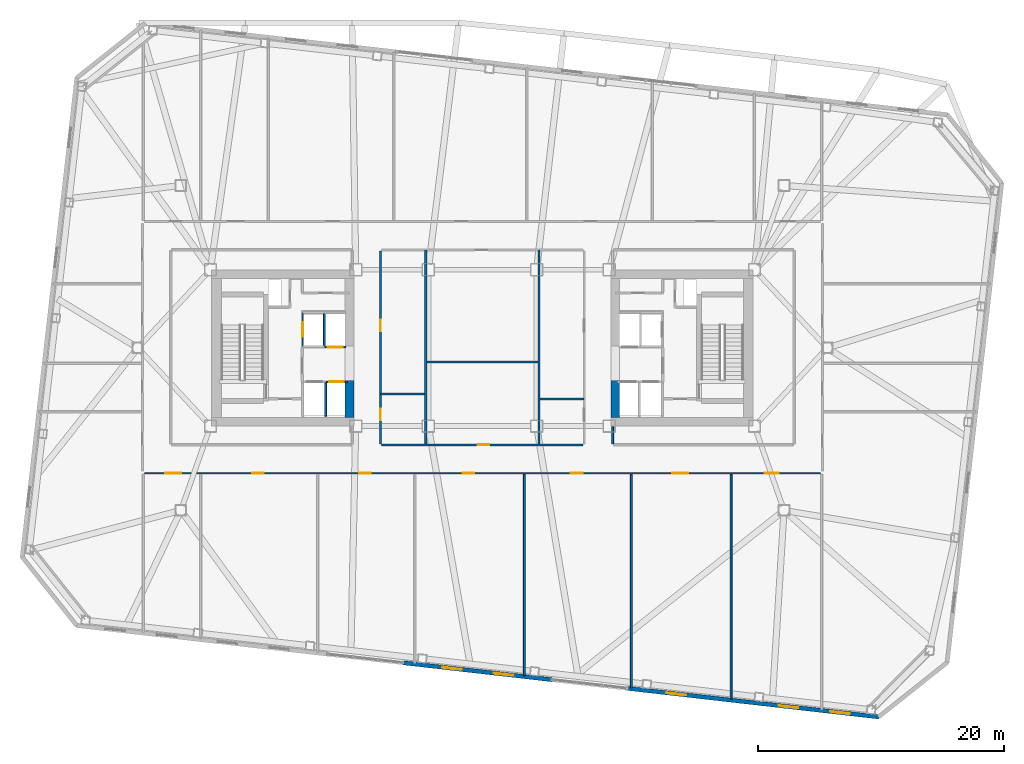
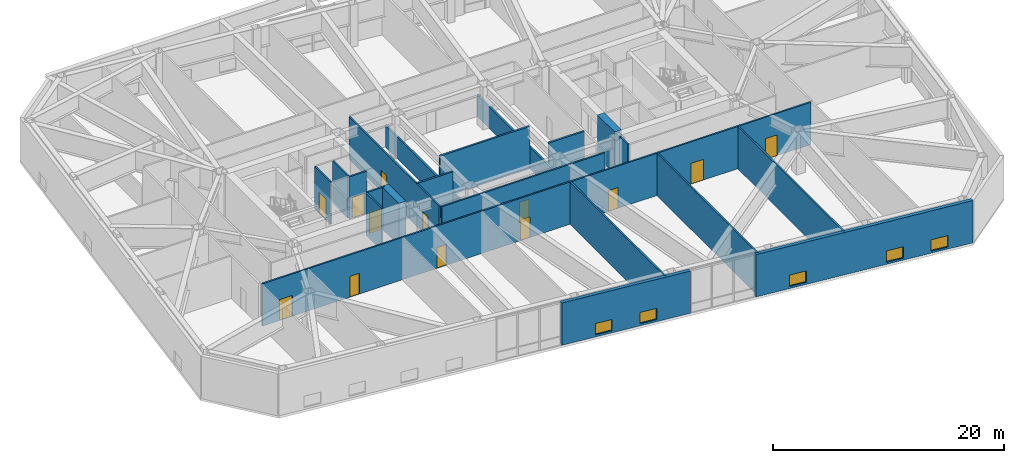
# One storey, part 11 of 19: 21 walls, 13 doors, 5 windows, 18 openings.
"""IFC4 building model written with IfcOpenShell, lengths in metres."""

from ifc_helpers import new_model, si_unit, direction, frame, frame_2d, origin, place, context, subcontext, project, spatial, rectangle, extrude, material, layer, layer_set, type_object, element, fill, save


model = new_model("IFC4")

# Units and contexts
model_context = context("Model", 3, precision=1e-05, world=origin(), true_north=direction((0.0, 1.0)))
body_context = subcontext(model_context, "Body", "Model", "MODEL_VIEW")
ifc_project = project(units=[si_unit("LENGTHUNIT", "METRE"), si_unit("AREAUNIT", "SQUARE_METRE"), si_unit("VOLUMEUNIT", "CUBIC_METRE"), si_unit("PLANEANGLEUNIT", "RADIAN"), si_unit("MASSUNIT", "GRAM", prefix="KILO")], contexts=[model_context])

# Site, building, storey
site_placement = place(None, origin())
site = spatial("IfcSite", under=ifc_project, at=site_placement, CompositionType="ELEMENT")
building_placement = place(site_placement, origin())
building = spatial("IfcBuilding", under=site, at=building_placement, Name="Tavrogorsk Clinical Tower", CompositionType="ELEMENT")
storey_placement = place(building_placement, frame((0.0, 0.0, 141.39990234375)))
storey = spatial("IfcBuildingStorey", under=building, at=storey_placement, Name="L32", CompositionType="ELEMENT", Elevation=141.39990234375)

# Wall, openings, doors
ifc_material_1 = material(Name="Lightweight concrete blockwork B15", Category="masonry")
ifc_layer_1 = layer(ifc_material_1, 0.159912109375)
ifc_layer_set_1 = layer_set([ifc_layer_1], Name="Lightweight concrete blockwork B15")
wall_type_1 = type_object("IfcWallType", Name="PartitionWall_160", PredefinedType="PARTITIONING", material=ifc_layer_set_1)
wall_1_placement = place(storey_placement, frame((27.465087890625, -10.179931640625, 0.0), z_axis=(0.0, 0.0, 1.0), x_axis=(-1.0, 0.0, 0.0)))
wall_1 = element("IfcWall", 1, at=wall_1_placement, inside=storey, type_object=wall_type_1, Name="L32 Corridor Partition 04", PredefinedType="PARTITIONING", context=body_context, shape_type="SweptSolid", body=[
    extrude(rectangle(XDim=54.93017578125, YDim=0.159912109375, at=frame_2d((27.465087890625, 0.0))), origin(), (0.0, 0.0, 1.0), 4.47998046875),
])
opening_1_placement = place(wall_1_placement, frame((51.930908203125, 0.0, 0.0)))
opening_1 = element("IfcOpeningElement", 2, at=opening_1_placement, cuts=wall_1, Name="Opening ID-01", PredefinedType="OPENING", context=body_context, shape_type="SweptSolid", body=[
    extrude(rectangle(XDim=1.300048828125, YDim=2.199951171875, at=frame_2d((0.64990234375, 1.10009765625))), frame((0.0, 0.08984375, 0.0), z_axis=(0.0, -1.0, 0.0), x_axis=(1.0, 0.0, 0.0)), (0.0, 0.0, 1.0), 0.179931640625),
])
opening_2_placement = place(wall_1_placement, frame((45.22509765625, 0.0, 0.0)))
opening_2 = element("IfcOpeningElement", 3, at=opening_2_placement, cuts=wall_1, Name="Opening ID-02", PredefinedType="OPENING", context=body_context, shape_type="SweptSolid", body=[
    extrude(rectangle(XDim=0.949951171875, YDim=2.199951171875, at=frame_2d((0.47509765625, 1.10009765625))), frame((0.0, 0.08984375, 0.0), z_axis=(0.0, -1.0, 0.0), x_axis=(1.0, 0.0, 0.0)), (0.0, 0.0, 1.0), 0.179931640625),
])
opening_3_placement = place(wall_1_placement, frame((36.52490234375, 0.0, 0.0)))
opening_3 = element("IfcOpeningElement", 4, at=opening_3_placement, cuts=wall_1, Name="Opening ID-02", PredefinedType="OPENING", context=body_context, shape_type="SweptSolid", body=[
    extrude(rectangle(XDim=0.949951171875, YDim=2.199951171875, at=frame_2d((0.47509765625, 1.10009765625))), frame((0.0, 0.08984375, 0.0), z_axis=(0.0, -1.0, 0.0), x_axis=(1.0, 0.0, 0.0)), (0.0, 0.0, 1.0), 0.179931640625),
])
opening_4_placement = place(wall_1_placement, frame((28.125, 0.0, 0.0)))
opening_4 = element("IfcOpeningElement", 5, at=opening_4_placement, cuts=wall_1, Name="Opening ID-02", PredefinedType="OPENING", context=body_context, shape_type="SweptSolid", body=[
    extrude(rectangle(XDim=0.949951171875, YDim=2.199951171875, at=frame_2d((0.47509765625, 1.10009765625))), frame((0.0, 0.08984375, 0.0), z_axis=(0.0, -1.0, 0.0), x_axis=(1.0, 0.0, 0.0)), (0.0, 0.0, 1.0), 0.179931640625),
])
opening_5_placement = place(wall_1_placement, frame((19.324951171875, 0.0, 0.0)))
opening_5 = element("IfcOpeningElement", 6, at=opening_5_placement, cuts=wall_1, Name="Opening ID-02", PredefinedType="OPENING", context=body_context, shape_type="SweptSolid", body=[
    extrude(rectangle(XDim=0.949951171875, YDim=2.199951171875, at=frame_2d((0.47509765625, 1.10009765625))), frame((0.0, 0.08984375, 0.0), z_axis=(0.0, -1.0, 0.0), x_axis=(1.0, 0.0, 0.0)), (0.0, 0.0, 1.0), 0.179931640625),
])
opening_6_placement = place(wall_1_placement, frame((10.75, 0.0, 0.0)))
opening_6 = element("IfcOpeningElement", 7, at=opening_6_placement, cuts=wall_1, Name="Opening ID-01", PredefinedType="OPENING", context=body_context, shape_type="SweptSolid", body=[
    extrude(rectangle(XDim=1.300048828125, YDim=2.199951171875, at=frame_2d((0.64990234375, 1.10009765625))), frame((0.0, 0.08984375, 0.0), z_axis=(0.0, -1.0, 0.0), x_axis=(1.0, 0.0, 0.0)), (0.0, 0.0, 1.0), 0.179931640625),
])
opening_7_placement = place(wall_1_placement, frame((3.39404296875, 0.0, 0.0)))
opening_7 = element("IfcOpeningElement", 8, at=opening_7_placement, cuts=wall_1, Name="Opening ID-06", PredefinedType="OPENING", context=body_context, shape_type="SweptSolid", body=[
    extrude(rectangle(XDim=1.14990234375, YDim=2.199951171875, at=frame_2d((0.574951171875, 1.10009765625))), frame((0.0, 0.08984375, 0.0), z_axis=(0.0, -1.0, 0.0), x_axis=(1.0, 0.0, 0.0)), (0.0, 0.0, 1.0), 0.179931640625),
])
ifc_material_2 = material(Name="Laminated timber leaf on aluminium frame", Category="wood")
door_type_1 = type_object("IfcDoorType", Name="InteriorDoor_ID02_950", OperationType="NOTDEFINED", PredefinedType="DOOR", material=ifc_material_2)
door_1_placement = place(opening_2_placement, origin())
door_1 = element("IfcDoor", 9, at=door_1_placement, inside=storey, type_object=door_type_1, Name="L32 South Soiled Utility & Sluice Room 02 Door", OperationType="SINGLE_SWING_LEFT", OverallHeight=2.199951171875, OverallWidth=0.949951171875, PredefinedType="DOOR", context=body_context, shape_type="SweptSolid", body=[
    extrude(rectangle(XDim=0.949951171875, YDim=2.199951171875, at=frame_2d((0.47509765625, 1.10009765625))), frame((0.0, 0.02490234375, 0.0), z_axis=(0.0, -1.0, 0.0), x_axis=(1.0, 0.0, 0.0)), (0.0, 0.0, 1.0), 0.050048828125),
])
fill(opening_2, door_1)
door_2_placement = place(opening_3_placement, origin())
door_2 = element("IfcDoor", 10, at=door_2_placement, inside=storey, type_object=door_type_1, Name="L32 Sky-Lobby Cafe & Pharmacy Lounge 3 Door", OperationType="SINGLE_SWING_RIGHT", OverallHeight=2.199951171875, OverallWidth=0.949951171875, PredefinedType="DOOR", context=body_context, shape_type="SweptSolid", body=[
    extrude(rectangle(XDim=0.949951171875, YDim=2.199951171875, at=frame_2d((0.47509765625, 1.10009765625))), frame((0.0, 0.02490234375, 0.0), z_axis=(0.0, -1.0, 0.0), x_axis=(1.0, 0.0, 0.0)), (0.0, 0.0, 1.0), 0.050048828125),
])
fill(opening_3, door_2)
door_3_placement = place(opening_4_placement, origin())
door_3 = element("IfcDoor", 11, at=door_3_placement, inside=storey, type_object=door_type_1, Name="L32 Sky-Lobby Cafe & Pharmacy Lounge 4 Door", OperationType="SINGLE_SWING_LEFT", OverallHeight=2.199951171875, OverallWidth=0.949951171875, PredefinedType="DOOR", context=body_context, shape_type="SweptSolid", body=[
    extrude(rectangle(XDim=0.949951171875, YDim=2.199951171875, at=frame_2d((0.47509765625, 1.10009765625))), frame((0.0, 0.02490234375, 0.0), z_axis=(0.0, -1.0, 0.0), x_axis=(1.0, 0.0, 0.0)), (0.0, 0.0, 1.0), 0.050048828125),
])
fill(opening_4, door_3)
door_4_placement = place(opening_5_placement, origin())
door_4 = element("IfcDoor", 12, at=door_4_placement, inside=storey, type_object=door_type_1, Name="L32 Sky-Lobby Cafe & Pharmacy Lounge 5 Door", OperationType="SINGLE_SWING_RIGHT", OverallHeight=2.199951171875, OverallWidth=0.949951171875, PredefinedType="DOOR", context=body_context, shape_type="SweptSolid", body=[
    extrude(rectangle(XDim=0.949951171875, YDim=2.199951171875, at=frame_2d((0.47509765625, 1.10009765625))), frame((0.0, 0.02490234375, 0.0), z_axis=(0.0, -1.0, 0.0), x_axis=(1.0, 0.0, 0.0)), (0.0, 0.0, 1.0), 0.050048828125),
])
fill(opening_5, door_4)
ifc_material_3 = material(Name="Antibacterial HPL procedure door on aluminium frame", Category="aluminium")
door_type_2 = type_object("IfcDoorType", Name="LabDoor_ID06_1150", OperationType="NOTDEFINED", PredefinedType="DOOR", material=ifc_material_3)
door_5_placement = place(opening_7_placement, origin())
door_5 = element("IfcDoor", 13, at=door_5_placement, inside=storey, type_object=door_type_2, Name="L32 South Soiled Utility & Sluice Room 07 Door", OperationType="SINGLE_SWING_RIGHT", OverallHeight=2.199951171875, OverallWidth=1.14990234375, PredefinedType="DOOR", context=body_context, shape_type="SweptSolid", body=[
    extrude(rectangle(XDim=1.14990234375, YDim=2.199951171875, at=frame_2d((0.574951171875, 1.10009765625))), frame((0.0, 0.02490234375, 0.0), z_axis=(0.0, -1.0, 0.0), x_axis=(1.0, 0.0, 0.0)), (0.0, 0.0, 1.0), 0.050048828125),
])
fill(opening_7, door_5)
ifc_material_4 = material(Name="Antibacterial HPL medical leaf on aluminium frame", Category="aluminium")
door_type_3 = type_object("IfcDoorType", Name="WardBedDoor_ID01_1300", OperationType="NOTDEFINED", PredefinedType="DOOR", material=ifc_material_4)
door_6_placement = place(opening_1_placement, origin())
door_6 = element("IfcDoor", 14, at=door_6_placement, inside=storey, type_object=door_type_3, Name="L32 South Surgical Step-Down Ward 01 Door", OperationType="SINGLE_SWING_RIGHT", OverallHeight=2.199951171875, OverallWidth=1.300048828125, PredefinedType="DOOR", context=body_context, shape_type="SweptSolid", body=[
    extrude(rectangle(XDim=1.300048828125, YDim=2.199951171875, at=frame_2d((0.64990234375, 1.10009765625))), frame((0.0, 0.02490234375, 0.0), z_axis=(0.0, -1.0, 0.0), x_axis=(1.0, 0.0, 0.0)), (0.0, 0.0, 1.0), 0.050048828125),
])
fill(opening_1, door_6)
door_7_placement = place(opening_6_placement, origin())
door_7 = element("IfcDoor", 15, at=door_7_placement, inside=storey, type_object=door_type_3, Name="L32 South Surgical Step-Down Ward 06 Door", OperationType="SINGLE_SWING_LEFT", OverallHeight=2.199951171875, OverallWidth=1.300048828125, PredefinedType="DOOR", context=body_context, shape_type="SweptSolid", body=[
    extrude(rectangle(XDim=1.300048828125, YDim=2.199951171875, at=frame_2d((0.64990234375, 1.10009765625))), frame((0.0, 0.02490234375, 0.0), z_axis=(0.0, -1.0, 0.0), x_axis=(1.0, 0.0, 0.0)), (0.0, 0.0, 1.0), 0.050048828125),
])
fill(opening_6, door_7)

# Wall
wall_2_placement = place(storey_placement, frame((10.580078125, -6.419921875, 0.0), z_axis=(0.0, 0.0, 1.0), x_axis=(0.0, -1.0, 0.0)))
element("IfcWall", 16, at=wall_2_placement, inside=storey, type_object=wall_type_1, Name="L32 Corridor Partition 07", PredefinedType="PARTITIONING", context=body_context, shape_type="SweptSolid", body=[
    extrude(rectangle(XDim=1.364990234375, YDim=0.159912109375, at=frame_2d((0.6826171875, 0.0))), origin(), (0.0, 0.0, 1.0), 4.47998046875),
])

# Wall, openings, doors
wall_3_placement = place(storey_placement, frame((-8.27001953125, 7.885009765625, 0.0), z_axis=(0.0, 0.0, 1.0), x_axis=(0.0, -1.0, 0.0)))
wall_3 = element("IfcWall", 17, at=wall_3_placement, inside=storey, type_object=wall_type_1, Name="L32 Corridor Partition 12", PredefinedType="PARTITIONING", context=body_context, shape_type="SweptSolid", body=[
    extrude(rectangle(XDim=15.669921875, YDim=0.159912109375, at=frame_2d((7.8349609375, 0.0))), origin(), (0.0, 0.0, 1.0), 4.47998046875),
])
opening_8_placement = place(wall_3_placement, frame((12.810791015625, 0.0, 0.0)))
opening_8 = element("IfcOpeningElement", 18, at=opening_8_placement, cuts=wall_3, Name="Opening ID-02", PredefinedType="OPENING", context=body_context, shape_type="SweptSolid", body=[
    extrude(rectangle(XDim=0.949951171875, YDim=2.199951171875, at=frame_2d((0.47509765625, 1.10009765625))), frame((0.0, 0.08984375, 0.0), z_axis=(0.0, -1.0, 0.0), x_axis=(1.0, 0.0, 0.0)), (0.0, 0.0, 1.0), 0.179931640625),
])
opening_9_placement = place(wall_3_placement, frame((5.5791015625, 0.0, 0.0)))
opening_9 = element("IfcOpeningElement", 19, at=opening_9_placement, cuts=wall_3, Name="Opening ID-02", PredefinedType="OPENING", context=body_context, shape_type="SweptSolid", body=[
    extrude(rectangle(XDim=0.949951171875, YDim=2.199951171875, at=frame_2d((0.47509765625, 1.10009765625))), frame((0.0, 0.08984375, 0.0), z_axis=(0.0, -1.0, 0.0), x_axis=(1.0, 0.0, 0.0)), (0.0, 0.0, 1.0), 0.179931640625),
])
door_8_placement = place(opening_8_placement, origin())
door_8 = element("IfcDoor", 20, at=door_8_placement, inside=storey, type_object=door_type_1, Name="L32 Accessible Patient Lavatory Door", OperationType="SINGLE_SWING_LEFT", OverallHeight=2.199951171875, OverallWidth=0.949951171875, PredefinedType="DOOR", context=body_context, shape_type="SweptSolid", body=[
    extrude(rectangle(XDim=0.949951171875, YDim=2.199951171875, at=frame_2d((0.47509765625, 1.10009765625))), frame((0.0, 0.02490234375, 0.0), z_axis=(0.0, -1.0, 0.0), x_axis=(1.0, 0.0, 0.0)), (0.0, 0.0, 1.0), 0.050048828125),
])
fill(opening_8, door_8)
door_9_placement = place(opening_9_placement, origin())
door_9 = element("IfcDoor", 21, at=door_9_placement, inside=storey, type_object=door_type_1, Name="L32 Ward Nourishment Pantry Door", OperationType="SINGLE_SWING_RIGHT", OverallHeight=2.199951171875, OverallWidth=0.949951171875, PredefinedType="DOOR", context=body_context, shape_type="SweptSolid", body=[
    extrude(rectangle(XDim=0.949951171875, YDim=2.199951171875, at=frame_2d((0.47509765625, 1.10009765625))), frame((0.0, 0.02490234375, 0.0), z_axis=(0.0, -1.0, 0.0), x_axis=(1.0, 0.0, 0.0)), (0.0, 0.0, 1.0), 0.050048828125),
])
fill(opening_9, door_9)

# Wall, opening, door
wall_4_placement = place(storey_placement, frame((-8.18505859375, -7.8701171875, 0.0), z_axis=(0.0, 0.0, 1.0), x_axis=(1.0, 0.0, 0.0)))
wall_4 = element("IfcWall", 22, at=wall_4_placement, inside=storey, type_object=wall_type_1, Name="L32 Corridor Partition 13", PredefinedType="PARTITIONING", context=body_context, shape_type="SweptSolid", body=[
    extrude(rectangle(XDim=16.3701171875, YDim=0.159912109375, at=frame_2d((8.18505859375, 0.0))), origin(), (0.0, 0.0, 1.0), 4.47998046875),
])
opening_10_placement = place(wall_4_placement, frame((7.794921875, 0.0, 0.0)))
opening_10 = element("IfcOpeningElement", 23, at=opening_10_placement, cuts=wall_4, Name="Opening ID-02", PredefinedType="OPENING", context=body_context, shape_type="SweptSolid", body=[
    extrude(rectangle(XDim=0.949951171875, YDim=2.199951171875, at=frame_2d((0.47509765625, 1.10009765625))), frame((0.0, 0.08984375, 0.0), z_axis=(0.0, -1.0, 0.0), x_axis=(1.0, 0.0, 0.0)), (0.0, 0.0, 1.0), 0.179931640625),
])
door_10_placement = place(opening_10_placement, origin())
door_10 = element("IfcDoor", 24, at=door_10_placement, inside=storey, type_object=door_type_1, Name="L32 Multidisciplinary Conference Room Door", OperationType="SINGLE_SWING_LEFT", OverallHeight=2.199951171875, OverallWidth=0.949951171875, PredefinedType="DOOR", context=body_context, shape_type="SweptSolid", body=[
    extrude(rectangle(XDim=0.949951171875, YDim=2.199951171875, at=frame_2d((0.47509765625, 1.10009765625))), frame((0.0, 0.02490234375, 0.0), z_axis=(0.0, -1.0, 0.0), x_axis=(1.0, 0.0, 0.0)), (0.0, 0.0, 1.0), 0.050048828125),
])
fill(opening_10, door_10)

# Walls
wall_5_placement = place(storey_placement, frame((3.39990234375, -26.6328125, 0.0), z_axis=(0.0, 0.0, 1.0), x_axis=(0.0, 1.0, 0.0)))
element("IfcWall", 25, at=wall_5_placement, inside=storey, type_object=wall_type_1, Name="L32 South Room Partition 4", PredefinedType="PARTITIONING", context=body_context, shape_type="SweptSolid", body=[
    extrude(rectangle(XDim=16.367919921875, YDim=0.159912109375, at=frame_2d((8.18408203125, 0.0))), origin(), (0.0, 0.0, 1.0), 4.47998046875),
])
wall_6_placement = place(storey_placement, frame((12.10009765625, -27.6240234375, 0.0), z_axis=(0.0, 0.0, 1.0), x_axis=(0.0, 1.0, 0.0)))
element("IfcWall", 26, at=wall_6_placement, inside=storey, type_object=wall_type_1, Name="L32 South Room Partition 5", PredefinedType="PARTITIONING", context=body_context, shape_type="SweptSolid", body=[
    extrude(rectangle(XDim=17.359130859375, YDim=0.159912109375, at=frame_2d((8.6796875, 0.0))), origin(), (0.0, 0.0, 1.0), 4.47998046875),
])
wall_7_placement = place(storey_placement, frame((20.199951171875, -28.547119140625, 0.0), z_axis=(0.0, 0.0, 1.0), x_axis=(0.0, 1.0, 0.0)))
element("IfcWall", 27, at=wall_7_placement, inside=storey, type_object=wall_type_1, Name="L32 South Room Partition 6", PredefinedType="PARTITIONING", context=body_context, shape_type="SweptSolid", body=[
    extrude(rectangle(XDim=18.2822265625, YDim=0.159912109375, at=frame_2d((9.14111328125, 0.0))), origin(), (0.0, 0.0, 1.0), 4.47998046875),
])
ifc_material_5 = material(Name="Lightweight concrete blockwork B20", Category="masonry")
ifc_layer_2 = layer(ifc_material_5, 0.179931640625)
ifc_layer_set_2 = layer_set([ifc_layer_2], Name="Lightweight concrete blockwork B20")
wall_type_2 = type_object("IfcWallType", Name="PartitionWall_180", PredefinedType="PARTITIONING", material=ifc_layer_set_2)
for number, where, z_axis, x_axis, name in (
    (28, (-4.60009765625, -7.864990234375, 0.0), (0.0, 0.0, 1.0), (0.0, 1.0, 0.0), "L32 Central Spine Partition 1"),
    (29, (4.60009765625, -7.864990234375, 0.0), (0.0, 0.0, 1.0), (0.0, 1.0, 0.0), "L32 Central Spine Partition 2"),
):
    element("IfcWall", number, at=place(storey_placement, frame(where, z_axis=z_axis, x_axis=x_axis)), inside=storey, type_object=wall_type_2, Name=name, PredefinedType="PARTITIONING", context=body_context, shape_type="SweptSolid", body=[
        extrude(rectangle(XDim=15.830078125, YDim=0.179931640625, at=frame_2d((7.9150390625, 0.0))), origin(), (0.0, 0.0, 1.0), 2.275146484375),
    ])
wall_8_placement = place(storey_placement, frame((-4.5048828125, -1.14990234375, 0.0), z_axis=(0.0, 0.0, 1.0), x_axis=(1.0, 0.0, 0.0)))
element("IfcWall", 30, at=wall_8_placement, inside=storey, type_object=wall_type_2, Name="L32 Central Spine Partition 3", PredefinedType="PARTITIONING", context=body_context, shape_type="SweptSolid", body=[
    extrude(rectangle(XDim=9.009765625, YDim=0.179931640625, at=frame_2d((4.5048828125, 0.0))), origin(), (0.0, 0.0, 1.0), 4.47998046875),
])
for number, where, z_axis, x_axis, name in (
    (31, (-8.264892578125, -3.75, 0.0), (0.0, 0.0, 1.0), (1.0, 0.0, 0.0), "L32 Central Spine Partition 4"),
    (32, (4.695068359375, -4.14990234375, 0.0), (0.0, 0.0, 1.0), (1.0, 0.0, 0.0), "L32 Central Spine Partition 5"),
):
    element("IfcWall", number, at=place(storey_placement, frame(where, z_axis=z_axis, x_axis=x_axis)), inside=storey, type_object=wall_type_2, Name=name, PredefinedType="PARTITIONING", context=body_context, shape_type="SweptSolid", body=[
        extrude(rectangle(XDim=3.56982421875, YDim=0.179931640625, at=frame_2d((1.784912109375, 0.0))), origin(), (0.0, 0.0, 1.0), 4.47998046875),
    ])

# Wall, openings, windows
ifc_material_6 = material(Name="Precast concrete B45 with limestone cladding", Category="masonry")
ifc_layer_3 = layer(ifc_material_6, 0.340087890625)
ifc_layer_set_3 = layer_set([ifc_layer_3], Name="Precast concrete B45 with limestone cladding")
wall_type_3 = type_object("IfcWallType", Name="PrecastLimestoneWall_340", PredefinedType="STANDARD", material=ifc_layer_set_3)
wall_9_placement = place(storey_placement, frame((-6.42626953125, -25.583740234375, 0.0), z_axis=(0.0, 0.0, 1.0), x_axis=(0.993571202571, -0.113208945853, 0.0)))
wall_9 = element("IfcWall", 33, at=wall_9_placement, inside=storey, type_object=wall_type_3, Name="L32 S Limestone Facade Wall 2", PredefinedType="STANDARD", context=body_context, shape_type="SweptSolid", body=[
    extrude(rectangle(XDim=12.154296875, YDim=0.340087890625, at=frame_2d((6.0771484375, 0.0))), origin(), (0.0, 0.0, 1.0), 4.47998046875),
])
opening_11_placement = place(wall_9_placement, frame((3.16650390625, 0.0, 0.219970703125)))
opening_11 = element("IfcOpeningElement", 34, at=opening_11_placement, cuts=wall_9, Name="Opening WN-09", PredefinedType="OPENING", context=body_context, shape_type="SweptSolid", body=[
    extrude(rectangle(XDim=1.60009765625, YDim=1.199951171875, at=frame_2d((0.800048828125, 0.60009765625))), frame((0.0, 0.179931640625, 0.0), z_axis=(0.0, -1.0, 0.0), x_axis=(1.0, 0.0, 0.0)), (0.0, 0.0, 1.0), 0.360107421875),
])
opening_12_placement = place(wall_9_placement, frame((7.387939453125, 0.0, 0.219970703125)))
opening_12 = element("IfcOpeningElement", 35, at=opening_12_placement, cuts=wall_9, Name="Opening WN-09", PredefinedType="OPENING", context=body_context, shape_type="SweptSolid", body=[
    extrude(rectangle(XDim=1.60009765625, YDim=1.199951171875, at=frame_2d((0.800048828125, 0.60009765625))), frame((0.0, 0.179931640625, 0.0), z_axis=(0.0, -1.0, 0.0), x_axis=(1.0, 0.0, 0.0)), (0.0, 0.0, 1.0), 0.360107421875),
])
ifc_material_7 = material(Name="Thermally broken aluminium frame and triple IGU", Category="aluminium")
window_type = type_object("IfcWindowType", Name="LowHeadTransWin_1600x1200", PartitioningType="DOUBLE_PANEL_VERTICAL", PredefinedType="WINDOW", material=ifc_material_7)
window_1_placement = place(opening_11_placement, origin())
window_1 = element("IfcWindow", 36, at=window_1_placement, inside=storey, type_object=window_type, Name="L32 S Chicago Window 05", OverallHeight=1.199951171875, OverallWidth=1.60009765625, PartitioningType="SINGLE_PANEL", PredefinedType="WINDOW", context=body_context, shape_type="SweptSolid", body=[
    extrude(rectangle(XDim=1.60009765625, YDim=1.199951171875, at=frame_2d((0.800048828125, 0.60009765625))), frame((0.0, 0.030029296875, 0.0), z_axis=(0.0, -1.0, 0.0), x_axis=(1.0, 0.0, 0.0)), (0.0, 0.0, 1.0), 0.06005859375),
])
fill(opening_11, window_1)
window_2_placement = place(opening_12_placement, origin())
window_2 = element("IfcWindow", 37, at=window_2_placement, inside=storey, type_object=window_type, Name="L32 S Chicago Window 06", OverallHeight=1.199951171875, OverallWidth=1.60009765625, PartitioningType="SINGLE_PANEL", PredefinedType="WINDOW", context=body_context, shape_type="SweptSolid", body=[
    extrude(rectangle(XDim=1.60009765625, YDim=1.199951171875, at=frame_2d((0.800048828125, 0.60009765625))), frame((0.0, 0.030029296875, 0.0), z_axis=(0.0, -1.0, 0.0), x_axis=(1.0, 0.0, 0.0)), (0.0, 0.0, 1.0), 0.06005859375),
])
fill(opening_12, window_2)

wall_10_placement = place(storey_placement, frame((11.81005859375, -27.66162109375, 0.0), z_axis=(0.0, 0.0, 1.0), x_axis=(0.993573214953, -0.113191282914, 0.0)))
wall_10 = element("IfcWall", 38, at=wall_10_placement, inside=storey, type_object=wall_type_3, Name="L32 S Limestone Facade Wall 3", PredefinedType="STANDARD", context=body_context, shape_type="SweptSolid", body=[
    extrude(rectangle(XDim=20.522705078125, YDim=0.340087890625, at=frame_2d((10.26123046875, 0.0))), origin(), (0.0, 0.0, 1.0), 4.47998046875),
])
opening_13_placement = place(wall_10_placement, frame((3.16650390625, 0.0, 0.219970703125)))
opening_13 = element("IfcOpeningElement", 39, at=opening_13_placement, cuts=wall_10, Name="Opening WN-09", PredefinedType="OPENING", context=body_context, shape_type="SweptSolid", body=[
    extrude(rectangle(XDim=1.60009765625, YDim=1.199951171875, at=frame_2d((0.800048828125, 0.60009765625))), frame((0.0, 0.179931640625, 0.0), z_axis=(0.0, -1.0, 0.0), x_axis=(1.0, 0.0, 0.0)), (0.0, 0.0, 1.0), 0.360107421875),
])
opening_14_placement = place(wall_10_placement, frame((12.343505859375, 0.0, 0.219970703125)))
opening_14 = element("IfcOpeningElement", 40, at=opening_14_placement, cuts=wall_10, Name="Opening WN-09", PredefinedType="OPENING", context=body_context, shape_type="SweptSolid", body=[
    extrude(rectangle(XDim=1.60009765625, YDim=1.199951171875, at=frame_2d((0.800048828125, 0.60009765625))), frame((0.0, 0.179931640625, 0.0), z_axis=(0.0, -1.0, 0.0), x_axis=(1.0, 0.0, 0.0)), (0.0, 0.0, 1.0), 0.360107421875),
])
opening_15_placement = place(wall_10_placement, frame((16.56494140625, 0.0, 0.219970703125)))
opening_15 = element("IfcOpeningElement", 41, at=opening_15_placement, cuts=wall_10, Name="Opening WN-09", PredefinedType="OPENING", context=body_context, shape_type="SweptSolid", body=[
    extrude(rectangle(XDim=1.60009765625, YDim=1.199951171875, at=frame_2d((0.800048828125, 0.60009765625))), frame((0.0, 0.179931640625, 0.0), z_axis=(0.0, -1.0, 0.0), x_axis=(1.0, 0.0, 0.0)), (0.0, 0.0, 1.0), 0.360107421875),
])
window_3_placement = place(opening_13_placement, origin())
window_3 = element("IfcWindow", 42, at=window_3_placement, inside=storey, type_object=window_type, Name="L32 S Chicago Window 07", OverallHeight=1.199951171875, OverallWidth=1.60009765625, PartitioningType="SINGLE_PANEL", PredefinedType="WINDOW", context=body_context, shape_type="SweptSolid", body=[
    extrude(rectangle(XDim=1.60009765625, YDim=1.199951171875, at=frame_2d((0.800048828125, 0.60009765625))), frame((0.0, 0.030029296875, 0.0), z_axis=(0.0, -1.0, 0.0), x_axis=(1.0, 0.0, 0.0)), (0.0, 0.0, 1.0), 0.06005859375),
])
fill(opening_13, window_3)
window_4_placement = place(opening_14_placement, origin())
window_4 = element("IfcWindow", 43, at=window_4_placement, inside=storey, type_object=window_type, Name="L32 S Chicago Window 09", OverallHeight=1.199951171875, OverallWidth=1.60009765625, PartitioningType="SINGLE_PANEL", PredefinedType="WINDOW", context=body_context, shape_type="SweptSolid", body=[
    extrude(rectangle(XDim=1.60009765625, YDim=1.199951171875, at=frame_2d((0.800048828125, 0.60009765625))), frame((0.0, 0.030029296875, 0.0), z_axis=(0.0, -1.0, 0.0), x_axis=(1.0, 0.0, 0.0)), (0.0, 0.0, 1.0), 0.06005859375),
])
fill(opening_14, window_4)
window_5_placement = place(opening_15_placement, origin())
window_5 = element("IfcWindow", 44, at=window_5_placement, inside=storey, type_object=window_type, Name="L32 S Chicago Window 10", OverallHeight=1.199951171875, OverallWidth=1.60009765625, PartitioningType="SINGLE_PANEL", PredefinedType="WINDOW", context=body_context, shape_type="SweptSolid", body=[
    extrude(rectangle(XDim=1.60009765625, YDim=1.199951171875, at=frame_2d((0.800048828125, 0.60009765625))), frame((0.0, 0.030029296875, 0.0), z_axis=(0.0, -1.0, 0.0), x_axis=(1.0, 0.0, 0.0)), (0.0, 0.0, 1.0), 0.06005859375),
])
fill(opening_15, window_5)

# Wall, opening, door
ifc_material_8 = material(Name="Lightweight concrete blockwork B25", Category="masonry")
ifc_layer_4 = layer(ifc_material_8, 0.159912109375)
ifc_layer_set_4 = layer_set([ifc_layer_4], Name="Lightweight concrete blockwork B25")
wall_type_4 = type_object("IfcWallType", Name="ShaftWall_160", PredefinedType="PARTITIONING", material=ifc_layer_set_4)
wall_11_placement = place(storey_placement, frame((-14.60009765625, 0.1201171875, 0.0), z_axis=(0.0, 0.0, 1.0), x_axis=(0.0, 1.0, 0.0)))
wall_11 = element("IfcWall", 45, at=wall_11_placement, inside=storey, type_object=wall_type_4, Name="L32 FFL-W Firefighting Lift Front Wall", PredefinedType="PARTITIONING", context=body_context, shape_type="SweptSolid", body=[
    extrude(rectangle(XDim=2.739990234375, YDim=0.159912109375, at=frame_2d((1.3701171875, 0.0))), origin(), (0.0, 0.0, 1.0), 4.47998046875),
])
opening_16_placement = place(wall_11_placement, frame((0.77001953125, 0.0, 0.0)))
opening_16 = element("IfcOpeningElement", 46, at=opening_16_placement, cuts=wall_11, Name="Opening LD", PredefinedType="OPENING", context=body_context, shape_type="SweptSolid", body=[
    extrude(rectangle(XDim=1.199951171875, YDim=2.199951171875, at=frame_2d((0.60009765625, 1.10009765625))), frame((0.0, 0.08984375, 0.0), z_axis=(0.0, -1.0, 0.0), x_axis=(1.0, 0.0, 0.0)), (0.0, 0.0, 1.0), 0.179931640625),
])
ifc_material_9 = material(Name="Brushed stainless steel AISI 304 sliding doors", Category="steel")
door_type_4 = type_object("IfcDoorType", Name="LiftLandingDoor_LD_1200", OperationType="SLIDING_TO_LEFT", PredefinedType="DOOR", material=ifc_material_9)
door_11_placement = place(opening_16_placement, origin())
door_11 = element("IfcDoor", 47, at=door_11_placement, inside=storey, type_object=door_type_4, Name="L32 FFL-W Sliding Lift Landing Door", OperationType="SLIDING_TO_LEFT", OverallHeight=2.199951171875, OverallWidth=1.199951171875, PredefinedType="DOOR", context=body_context, shape_type="SweptSolid", body=[
    extrude(rectangle(XDim=1.199951171875, YDim=2.199951171875, at=frame_2d((0.60009765625, 1.10009765625))), frame((0.0, 0.02490234375, 0.0), z_axis=(0.0, -1.0, 0.0), x_axis=(1.0, 0.0, 0.0)), (0.0, 0.0, 1.0), 0.050048828125),
])
fill(opening_16, door_11)

# Walls
wall_12_placement = place(storey_placement, frame((-12.840087890625, 0.179931640625, 0.0), z_axis=(0.0, 0.0, 1.0), x_axis=(0.0, 1.0, 0.0)))
element("IfcWall", 48, at=wall_12_placement, inside=storey, type_object=wall_type_4, Name="L32 FFL-W Shaft Back Wall", PredefinedType="PARTITIONING", context=body_context, shape_type="SweptSolid", body=[
    extrude(rectangle(XDim=2.6201171875, YDim=0.159912109375, at=frame_2d((1.31005859375, 0.0))), origin(), (0.0, 0.0, 1.0), 4.47998046875),
])
wall_13_placement = place(storey_placement, frame((-12.75, -5.5400390625, 0.0), z_axis=(0.0, 0.0, 1.0), x_axis=(0.0, 1.0, 0.0)))
element("IfcWall", 49, at=wall_13_placement, inside=storey, type_object=wall_type_4, Name="L32 LP-L1 Lift Hoistway Divider Wall", PredefinedType="PARTITIONING", context=body_context, shape_type="SweptSolid", body=[
    extrude(rectangle(XDim=2.699951171875, YDim=0.159912109375, at=frame_2d((1.35009765625, 0.0))), origin(), (0.0, 0.0, 1.0), 4.47998046875),
])

# Wall, opening, door
wall_14_placement = place(storey_placement, frame((-12.72998046875, -2.75, 0.0), z_axis=(0.0, 0.0, 1.0), x_axis=(1.0, 0.0, 0.0)))
wall_14 = element("IfcWall", 50, at=wall_14_placement, inside=storey, type_object=wall_type_4, Name="L32 LP-M1 Lift Shaft Portal Wall", PredefinedType="PARTITIONING", context=body_context, shape_type="SweptSolid", body=[
    extrude(rectangle(XDim=1.760009765625, YDim=0.159912109375, at=frame_2d((0.8798828125, 0.0))), origin(), (0.0, 0.0, 1.0), 4.47998046875),
])
opening_17_placement = place(wall_14_placement, frame((0.280029296875, 0.0, 0.0)))
opening_17 = element("IfcOpeningElement", 51, at=opening_17_placement, cuts=wall_14, Name="Opening LD", PredefinedType="OPENING", context=body_context, shape_type="SweptSolid", body=[
    extrude(rectangle(XDim=1.199951171875, YDim=2.199951171875, at=frame_2d((0.60009765625, 1.10009765625))), frame((0.0, 0.08984375, 0.0), z_axis=(0.0, -1.0, 0.0), x_axis=(1.0, 0.0, 0.0)), (0.0, 0.0, 1.0), 0.179931640625),
])
door_12_placement = place(opening_17_placement, origin())
door_12 = element("IfcDoor", 52, at=door_12_placement, inside=storey, type_object=door_type_4, Name="L32 LP-M1 Sliding Lift Landing Door", OperationType="SLIDING_TO_LEFT", OverallHeight=2.199951171875, OverallWidth=1.199951171875, PredefinedType="DOOR", context=body_context, shape_type="SweptSolid", body=[
    extrude(rectangle(XDim=1.199951171875, YDim=2.199951171875, at=frame_2d((0.60009765625, 1.10009765625))), frame((0.0, 0.02490234375, 0.0), z_axis=(0.0, -1.0, 0.0), x_axis=(1.0, 0.0, 0.0)), (0.0, 0.0, 1.0), 0.050048828125),
])
fill(opening_17, door_12)

wall_15_placement = place(storey_placement, frame((-12.820068359375, 0.06005859375, 0.0), z_axis=(0.0, 0.0, 1.0), x_axis=(1.0, 0.0, 0.0)))
wall_15 = element("IfcWall", 53, at=wall_15_placement, inside=storey, type_object=wall_type_4, Name="L32 LP-H1 High-Zone Lift Portal Wall", PredefinedType="PARTITIONING", context=body_context, shape_type="SweptSolid", body=[
    extrude(rectangle(XDim=1.719970703125, YDim=0.159912109375, at=frame_2d((0.85986328125, 0.0))), origin(), (0.0, 0.0, 1.0), 4.47998046875),
])
opening_18_placement = place(wall_15_placement, frame((0.260009765625, 0.0, 0.0)))
opening_18 = element("IfcOpeningElement", 54, at=opening_18_placement, cuts=wall_15, Name="Opening LD", PredefinedType="OPENING", context=body_context, shape_type="SweptSolid", body=[
    extrude(rectangle(XDim=1.199951171875, YDim=2.199951171875, at=frame_2d((0.60009765625, 1.10009765625))), frame((0.0, 0.08984375, 0.0), z_axis=(0.0, -1.0, 0.0), x_axis=(1.0, 0.0, 0.0)), (0.0, 0.0, 1.0), 0.179931640625),
])
door_13_placement = place(opening_18_placement, origin())
door_13 = element("IfcDoor", 55, at=door_13_placement, inside=storey, type_object=door_type_4, Name="L32 LP-H1 Sliding Lift Landing Door", OperationType="SLIDING_TO_LEFT", OverallHeight=2.199951171875, OverallWidth=1.199951171875, PredefinedType="DOOR", context=body_context, shape_type="SweptSolid", body=[
    extrude(rectangle(XDim=1.199951171875, YDim=2.199951171875, at=frame_2d((0.60009765625, 1.10009765625))), frame((0.0, 0.02490234375, 0.0), z_axis=(0.0, -1.0, 0.0), x_axis=(1.0, 0.0, 0.0)), (0.0, 0.0, 1.0), 0.050048828125),
])
fill(opening_18, door_13)

# Walls
ifc_material_10 = material(Name="Concrete B80", Category="concrete")
ifc_layer_5 = layer(ifc_material_10, 0.699951171875)
ifc_layer_set_5 = layer_set([ifc_layer_5], Name="Concrete B80")
wall_type_5 = type_object("IfcWallType", Name="ShearWall_700", PredefinedType="SHEAR", material=ifc_layer_set_5)
for number, where, z_axis, x_axis, name in (
    (56, (-10.800048828125, -5.64990234375, 0.0), (0.0, 0.0, 1.0), (0.0, 1.0, 0.0), "L32 Core West Inner South Pier"),
    (57, (10.800048828125, -5.64990234375, 0.0), (0.0, 0.0, 1.0), (0.0, 1.0, 0.0), "L32 Core East Inner South Pier"),
):
    element("IfcWall", number, at=place(storey_placement, frame(where, z_axis=z_axis, x_axis=x_axis)), inside=storey, type_object=wall_type_5, Name=name, PredefinedType="SHEAR", context=body_context, shape_type="SweptSolid", body=[
        extrude(rectangle(XDim=3.0, YDim=0.699951171875, at=frame_2d((1.5, 0.0))), origin(), (0.0, 0.0, 1.0), 4.47998046875),
    ])

save(model, "model.ifc")
